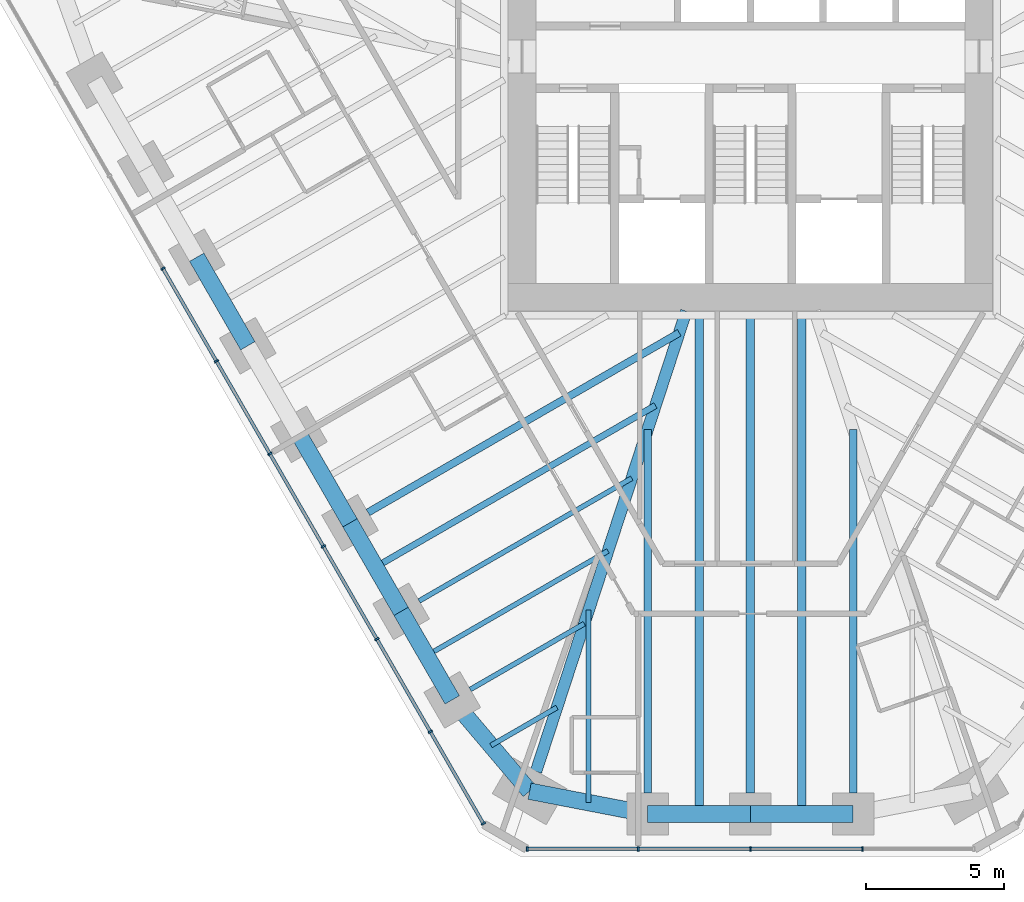
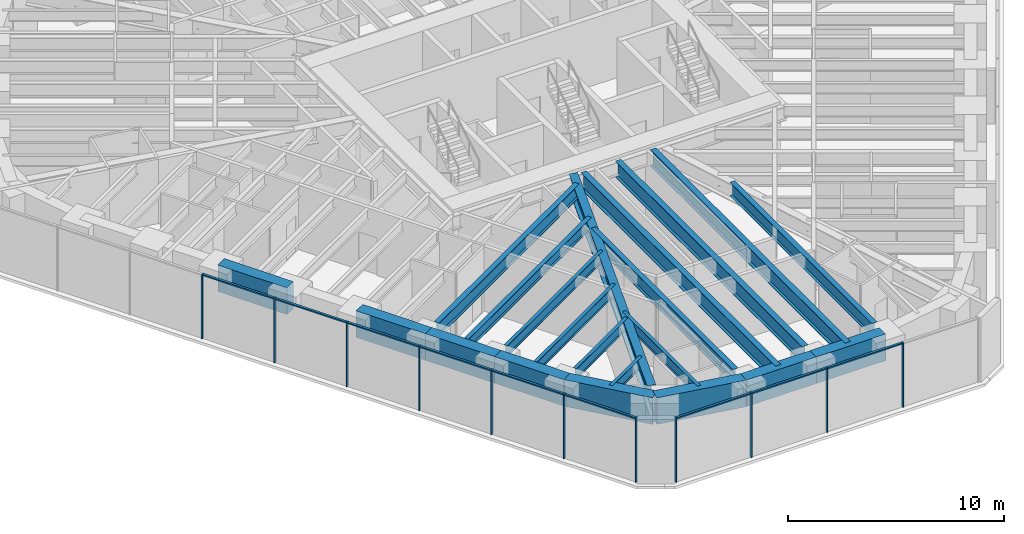
# One storey, part 2 of 16: 21 beams, 20 members, 2 elements without a shape of their own.
"""IFC4 building model written with IfcOpenShell, lengths in metres."""

from ifc_helpers import new_model, si_unit, direction, frame, origin, origin_2d, place, context, subcontext, project, spatial, rectangle, i_section, extrude, material, material_profile, profile_set, type_object, element, aggregate, save


model = new_model("IFC4")

# Units and contexts
model_context = context("Model", 3, precision=1e-05, world=origin(), true_north=direction((0.0, 1.0)))
body_context = subcontext(model_context, "Body", "Model", "MODEL_VIEW")
ifc_project = project(units=[si_unit("LENGTHUNIT", "METRE"), si_unit("AREAUNIT", "SQUARE_METRE"), si_unit("VOLUMEUNIT", "CUBIC_METRE"), si_unit("PLANEANGLEUNIT", "RADIAN"), si_unit("MASSUNIT", "GRAM", prefix="KILO")], contexts=[model_context])

# Site, building, storey
site_placement = place(None, origin())
site = spatial("IfcSite", under=ifc_project, at=site_placement, CompositionType="ELEMENT")
building_placement = place(site_placement, origin())
building = spatial("IfcBuilding", under=site, at=building_placement, Name="Sandreach Pilgrim Tower", CompositionType="ELEMENT")
storey_placement = place(building_placement, frame((0.0, 0.0, 228.800048828125)))
storey = spatial("IfcBuildingStorey", under=building, at=storey_placement, Name="L57", CompositionType="ELEMENT", Elevation=228.800048828125)

# Curtain wall, members
ifc_material_1 = material(Name="Aluminium framed curtain wall", Category="aluminium")
curtain_wall_type = type_object("IfcCurtainWallType", Name="Upper hotel tower curtain wall", PredefinedType="NOTDEFINED", material=ifc_material_1)
curtain_wall_1_placement = place(storey_placement, origin())
curtain_wall_1 = element("IfcCurtainWall", 1, at=curtain_wall_1_placement, inside=storey, type_object=curtain_wall_type, Name="CW-3 L57 S", PredefinedType="NOTDEFINED")
ifc_material_2 = material(Name="Aluminium extrusion", Category="aluminium")
ifc_material_profile_1 = material_profile(ifc_material_2, rectangle(XDim=0.06494140625, YDim=0.159912109375, at=origin_2d()), Name="CW-3M 65X160")
ifc_profile_set_1 = profile_set([ifc_material_profile_1], Name="Aluminium extrusion")
member_type_1 = type_object("IfcMemberType", Name="CW-3 mullion", PredefinedType="MULLION", material=ifc_profile_set_1)
member_1_placement = place(storey_placement, frame((4.048583984375, -26.525146484375, 0.0), z_axis=(0.0, 0.0, 1.0), x_axis=(-1.0, 0.0, 0.0)))
member_1 = element("IfcMember", 2, at=member_1_placement, type_object=member_type_1, Name="CW-3 mullion 2", PredefinedType="MULLION", context=body_context, shape_type="SweptSolid", body=[
    extrude(rectangle(XDim=0.06494140625, YDim=0.159912109375, at=origin_2d()), origin(), (0.0, 0.0, 1.0), 3.639892578125),
])
member_2_placement = place(storey_placement, frame((0.0, -26.525146484375, 0.0), z_axis=(0.0, 0.0, 1.0), x_axis=(-1.0, 0.0, 0.0)))
member_2 = element("IfcMember", 3, at=member_2_placement, type_object=member_type_1, Name="CW-3 mullion 3", PredefinedType="MULLION", context=body_context, shape_type="SweptSolid", body=[
    extrude(rectangle(XDim=0.06494140625, YDim=0.159912109375, at=origin_2d()), origin(), (0.0, 0.0, 1.0), 3.639892578125),
])
member_3_placement = place(storey_placement, frame((-4.048583984375, -26.525146484375, 0.0), z_axis=(0.0, 0.0, 1.0), x_axis=(-1.0, 0.0, 0.0)))
member_3 = element("IfcMember", 4, at=member_3_placement, type_object=member_type_1, Name="CW-3 mullion 4", PredefinedType="MULLION", context=body_context, shape_type="SweptSolid", body=[
    extrude(rectangle(XDim=0.06494140625, YDim=0.159912109375, at=origin_2d()), origin(), (0.0, 0.0, 1.0), 3.639892578125),
])
member_4_placement = place(storey_placement, frame((-8.06494140625, -26.525146484375, 0.0), z_axis=(0.0, 0.0, 1.0), x_axis=(-1.0, 0.0, 0.0)))
member_4 = element("IfcMember", 5, at=member_4_placement, type_object=member_type_1, Name="CW-3 mullion 5", PredefinedType="MULLION", context=body_context, shape_type="SweptSolid", body=[
    extrude(rectangle(XDim=0.06494140625, YDim=0.159912109375, at=origin_2d()), origin(), (0.0, 0.0, 1.0), 3.639892578125),
])

curtain_wall_2_placement = place(storey_placement, origin())
curtain_wall_2 = element("IfcCurtainWall", 6, at=curtain_wall_2_placement, inside=storey, type_object=curtain_wall_type, Name="CW-3 L57 SW", PredefinedType="NOTDEFINED")
member_5_placement = place(storey_placement, frame((-9.646484375, -25.612060546875, 0.0), z_axis=(0.0, 0.0, 1.0), x_axis=(-0.5, 0.866025403784, 0.0)))
member_5 = element("IfcMember", 7, at=member_5_placement, type_object=member_type_1, Name="CW-3 mullion 1", PredefinedType="MULLION", context=body_context, shape_type="SweptSolid", body=[
    extrude(rectangle(XDim=0.06494140625, YDim=0.159912109375, at=origin_2d()), origin(), (0.0, 0.0, 1.0), 3.639892578125),
])
member_6_placement = place(storey_placement, frame((-11.5625, -22.29345703125, 0.0), z_axis=(0.0, 0.0, 1.0), x_axis=(-0.5, 0.866025403784, 0.0)))
member_6 = element("IfcMember", 8, at=member_6_placement, type_object=member_type_1, Name="CW-3 mullion 2", PredefinedType="MULLION", context=body_context, shape_type="SweptSolid", body=[
    extrude(rectangle(XDim=0.06494140625, YDim=0.159912109375, at=origin_2d()), origin(), (0.0, 0.0, 1.0), 3.639892578125),
])
member_7_placement = place(storey_placement, frame((-13.49462890625, -18.94677734375, 0.0), z_axis=(0.0, 0.0, 1.0), x_axis=(-0.5, 0.866025403784, 0.0)))
member_7 = element("IfcMember", 9, at=member_7_placement, type_object=member_type_1, Name="CW-3 mullion 3", PredefinedType="MULLION", context=body_context, shape_type="SweptSolid", body=[
    extrude(rectangle(XDim=0.06494140625, YDim=0.159912109375, at=origin_2d()), origin(), (0.0, 0.0, 1.0), 3.639892578125),
])
member_8_placement = place(storey_placement, frame((-15.4267578125, -15.60009765625, 0.0), z_axis=(0.0, 0.0, 1.0), x_axis=(-0.5, 0.866025403784, 0.0)))
member_8 = element("IfcMember", 10, at=member_8_placement, type_object=member_type_1, Name="CW-3 mullion 4", PredefinedType="MULLION", context=body_context, shape_type="SweptSolid", body=[
    extrude(rectangle(XDim=0.06494140625, YDim=0.159912109375, at=origin_2d()), origin(), (0.0, 0.0, 1.0), 3.639892578125),
])
member_9_placement = place(storey_placement, frame((-17.359130859375, -12.25341796875, 0.0), z_axis=(0.0, 0.0, 1.0), x_axis=(-0.5, 0.866025403784, 0.0)))
member_9 = element("IfcMember", 11, at=member_9_placement, type_object=member_type_1, Name="CW-3 mullion 5", PredefinedType="MULLION", context=body_context, shape_type="SweptSolid", body=[
    extrude(rectangle(XDim=0.06494140625, YDim=0.159912109375, at=origin_2d()), origin(), (0.0, 0.0, 1.0), 3.639892578125),
])
member_10_placement = place(storey_placement, frame((-19.291259765625, -8.90673828125, 0.0), z_axis=(0.0, 0.0, 1.0), x_axis=(-0.5, 0.866025403784, 0.0)))
member_10 = element("IfcMember", 12, at=member_10_placement, type_object=member_type_1, Name="CW-3 mullion 6", PredefinedType="MULLION", context=body_context, shape_type="SweptSolid", body=[
    extrude(rectangle(XDim=0.06494140625, YDim=0.159912109375, at=origin_2d()), origin(), (0.0, 0.0, 1.0), 3.639892578125),
])
member_11_placement = place(storey_placement, frame((-21.223388671875, -5.56005859375, 0.0), z_axis=(0.0, 0.0, 1.0), x_axis=(-0.5, 0.866025403784, 0.0)))
member_11 = element("IfcMember", 13, at=member_11_placement, type_object=member_type_1, Name="CW-3 mullion 7", PredefinedType="MULLION", context=body_context, shape_type="SweptSolid", body=[
    extrude(rectangle(XDim=0.06494140625, YDim=0.159912109375, at=origin_2d()), origin(), (0.0, 0.0, 1.0), 3.639892578125),
])

# Member
ifc_material_3 = material(Name="Aluminium extrusion", Category="aluminium")
ifc_material_profile_2 = material_profile(ifc_material_3, rectangle(XDim=0.1201171875, YDim=0.070068359375, at=origin_2d()), Name="CW-3T 120X70")
ifc_profile_set_2 = profile_set([ifc_material_profile_2], Name="Aluminium extrusion")
member_type_2 = type_object("IfcMemberType", Name="CW-3 transom", PredefinedType="USERDEFINED", material=ifc_profile_set_2)
member_12_placement = place(storey_placement, frame((4.01611328125, -26.525146484375, 3.60498046875), z_axis=(-1.0, 0.0, 0.0), x_axis=(0.0, -1.0, 0.0)))
member_12 = element("IfcMember", 14, at=member_12_placement, type_object=member_type_2, Name="CW-3 head transom 2", ObjectType="TRANSOM", PredefinedType="USERDEFINED", context=body_context, shape_type="SweptSolid", body=[
    extrude(rectangle(XDim=0.1201171875, YDim=0.070068359375, at=origin_2d()), origin(), (0.0, 0.0, 1.0), 3.983642578125),
])

member_13_placement = place(storey_placement, frame((-0.032470703125, -26.525146484375, 3.60498046875), z_axis=(-1.0, 0.0, 0.0), x_axis=(0.0, -1.0, 0.0)))
member_13 = element("IfcMember", 15, at=member_13_placement, type_object=member_type_2, Name="CW-3 head transom 3", ObjectType="TRANSOM", PredefinedType="USERDEFINED", context=body_context, shape_type="SweptSolid", body=[
    extrude(rectangle(XDim=0.1201171875, YDim=0.070068359375, at=origin_2d()), origin(), (0.0, 0.0, 1.0), 3.983642578125),
])

member_14_placement = place(storey_placement, frame((-4.081298828125, -26.525146484375, 3.60498046875), z_axis=(-1.0, 0.0, 0.0), x_axis=(0.0, -1.0, 0.0)))
member_14 = element("IfcMember", 16, at=member_14_placement, type_object=member_type_2, Name="CW-3 head transom 4", ObjectType="TRANSOM", PredefinedType="USERDEFINED", context=body_context, shape_type="SweptSolid", body=[
    extrude(rectangle(XDim=0.1201171875, YDim=0.070068359375, at=origin_2d()), origin(), (0.0, 0.0, 1.0), 3.951171875),
])

aggregate(curtain_wall_1, [member_1, member_2, member_3, member_4, member_12, member_13, member_14])

member_15_placement = place(storey_placement, frame((-9.662841796875, -25.583740234375, 3.60498046875), z_axis=(-0.499973055223, 0.8660409598, 0.0), x_axis=(-0.8660409598, -0.499973055223, 0.0)))
member_15 = element("IfcMember", 17, at=member_15_placement, type_object=member_type_2, Name="CW-3 head transom 1", ObjectType="TRANSOM", PredefinedType="USERDEFINED", context=body_context, shape_type="SweptSolid", body=[
    extrude(rectangle(XDim=0.1201171875, YDim=0.070068359375, at=origin_2d()), origin(), (0.0, 0.0, 1.0), 3.766845703125),
])

member_16_placement = place(storey_placement, frame((-11.57861328125, -22.265380859375, 3.60498046875), z_axis=(-0.500022797313, 0.86601224135, 0.0), x_axis=(-0.86601224135, -0.500022797313, 0.0)))
member_16 = element("IfcMember", 18, at=member_16_placement, type_object=member_type_2, Name="CW-3 head transom 2", ObjectType="TRANSOM", PredefinedType="USERDEFINED", context=body_context, shape_type="SweptSolid", body=[
    extrude(rectangle(XDim=0.1201171875, YDim=0.070068359375, at=origin_2d()), origin(), (0.0, 0.0, 1.0), 3.799560546875),
])

member_17_placement = place(storey_placement, frame((-13.510986328125, -18.918701171875, 3.60498046875), z_axis=(-0.499974606132, 0.866040064445, 0.0), x_axis=(-0.866040064445, -0.499974606132, 0.0)))
member_17 = element("IfcMember", 19, at=member_17_placement, type_object=member_type_2, Name="CW-3 head transom 3", ObjectType="TRANSOM", PredefinedType="USERDEFINED", context=body_context, shape_type="SweptSolid", body=[
    extrude(rectangle(XDim=0.1201171875, YDim=0.070068359375, at=origin_2d()), origin(), (0.0, 0.0, 1.0), 3.799560546875),
])

member_18_placement = place(storey_placement, frame((-15.443115234375, -15.572021484375, 3.60498046875), z_axis=(-0.499974606132, 0.866040064445, 0.0), x_axis=(-0.866040064445, -0.499974606132, 0.0)))
member_18 = element("IfcMember", 20, at=member_18_placement, type_object=member_type_2, Name="CW-3 head transom 4", ObjectType="TRANSOM", PredefinedType="USERDEFINED", context=body_context, shape_type="SweptSolid", body=[
    extrude(rectangle(XDim=0.1201171875, YDim=0.070068359375, at=origin_2d()), origin(), (0.0, 0.0, 1.0), 3.799560546875),
])

member_19_placement = place(storey_placement, frame((-17.375244140625, -12.225341796875, 3.60498046875), z_axis=(-0.500022797313, 0.86601224135, 0.0), x_axis=(-0.86601224135, -0.500022797313, 0.0)))
member_19 = element("IfcMember", 21, at=member_19_placement, type_object=member_type_2, Name="CW-3 head transom 5", ObjectType="TRANSOM", PredefinedType="USERDEFINED", context=body_context, shape_type="SweptSolid", body=[
    extrude(rectangle(XDim=0.1201171875, YDim=0.070068359375, at=origin_2d()), origin(), (0.0, 0.0, 1.0), 3.799560546875),
])

member_20_placement = place(storey_placement, frame((-19.3076171875, -8.878662109375, 3.60498046875), z_axis=(-0.499974606132, 0.866040064445, 0.0), x_axis=(-0.866040064445, -0.499974606132, 0.0)))
member_20 = element("IfcMember", 22, at=member_20_placement, type_object=member_type_2, Name="CW-3 head transom 6", ObjectType="TRANSOM", PredefinedType="USERDEFINED", context=body_context, shape_type="SweptSolid", body=[
    extrude(rectangle(XDim=0.1201171875, YDim=0.070068359375, at=origin_2d()), origin(), (0.0, 0.0, 1.0), 3.799560546875),
])

aggregate(curtain_wall_2, [member_5, member_6, member_7, member_8, member_9, member_10, member_11, member_15, member_16, member_17, member_18, member_19, member_20])

# Beams
ifc_material_4 = material(Name="Steel ASTM A992 Grade 50", Category="steel")
ifc_material_profile_3 = material_profile(ifc_material_4, i_section(OverallWidth=0.421630859375, OverallDepth=0.95751953125, WebThickness=0.02587890625, FlangeThickness=0.046875, at=origin_2d()), Name="W36X330")
ifc_profile_set_3 = profile_set([ifc_material_profile_3], Name="Steel ASTM A992 Grade 50")
beam_type_1 = type_object("IfcBeamType", Name="Corner girder W36X330", PredefinedType="BEAM", material=ifc_profile_set_3)
beam_1_placement = place(storey_placement, frame((-7.745849609375, -23.72900390625, 3.1611328125), z_axis=(0.310317870968, 0.950632851819, 0.0), x_axis=(-0.950632851819, 0.310317870968, 0.0)))
element("IfcBeam", 23, at=beam_1_placement, inside=storey, type_object=beam_type_1, Name="BM L57 CG26", PredefinedType="BEAM", context=body_context, shape_type="SweptSolid", body=[
    extrude(i_section(OverallWidth=0.421630859375, OverallDepth=0.95751953125, WebThickness=0.02587890625, FlangeThickness=0.046875, at=origin_2d()), origin(), (0.0, 0.0, 1.0), 17.492431640625),
])
ifc_material_5 = material(Name="Steel ASTM A992 Grade 50", Category="steel")
ifc_material_profile_4 = material_profile(ifc_material_5, i_section(OverallWidth=0.1787109375, OverallDepth=0.60205078125, WebThickness=0.010986328125, FlangeThickness=0.014892578125, at=origin_2d()), Name="W24X62")
ifc_profile_set_4 = profile_set([ifc_material_profile_4], Name="Steel ASTM A992 Grade 50")
beam_type_2 = type_object("IfcBeamType", Name="Floor beam W24X62", PredefinedType="BEAM", material=ifc_profile_set_4)
beam_2_placement = place(storey_placement, frame((-10.12255859375, -20.767333984375, 3.3388671875), z_axis=(0.86603347311, 0.499986023258, 0.0), x_axis=(-0.499986023258, 0.86603347311, 0.0)))
element("IfcBeam", 24, at=beam_2_placement, inside=storey, type_object=beam_type_2, Name="BM L57 F27", PredefinedType="BEAM", context=body_context, shape_type="SweptSolid", body=[
    extrude(i_section(OverallWidth=0.1787109375, OverallDepth=0.60205078125, WebThickness=0.010986328125, FlangeThickness=0.014892578125, at=origin_2d()), origin(), (0.0, 0.0, 1.0), 4.757568359375),
])
beam_3_placement = place(storey_placement, frame((-11.96875, -17.569580078125, 3.3388671875), z_axis=(0.866020566617, 0.500008378126, 0.0), x_axis=(-0.500008378126, 0.866020566617, 0.0)))
element("IfcBeam", 25, at=beam_3_placement, inside=storey, type_object=beam_type_2, Name="BM L57 F28", PredefinedType="BEAM", context=body_context, shape_type="SweptSolid", body=[
    extrude(i_section(OverallWidth=0.1787109375, OverallDepth=0.60205078125, WebThickness=0.010986328125, FlangeThickness=0.014892578125, at=origin_2d()), origin(), (0.0, 0.0, 1.0), 8.869384765625),
])
beam_4_placement = place(storey_placement, frame((-5.844482421875, -24.853515625, 3.3388671875), z_axis=(0.0, 1.0, 0.0), x_axis=(-1.0, 0.0, 0.0)))
element("IfcBeam", 26, at=beam_4_placement, inside=storey, type_object=beam_type_2, Name="BM L57 FM25", PredefinedType="BEAM", context=body_context, shape_type="SweptSolid", body=[
    extrude(i_section(OverallWidth=0.1787109375, OverallDepth=0.60205078125, WebThickness=0.010986328125, FlangeThickness=0.014892578125, at=origin_2d()), origin(), (0.0, 0.0, 1.0), 6.94921875),
])
beam_5_placement = place(storey_placement, frame((-9.375244140625, -22.7919921875, 3.3388671875), z_axis=(0.866046803606, 0.49996293259, 0.0), x_axis=(-0.49996293259, 0.866046803606, 0.0)))
element("IfcBeam", 27, at=beam_5_placement, inside=storey, type_object=beam_type_2, Name="BM L57 FM26", PredefinedType="BEAM", context=body_context, shape_type="SweptSolid", body=[
    extrude(i_section(OverallWidth=0.1787109375, OverallDepth=0.60205078125, WebThickness=0.010986328125, FlangeThickness=0.014892578125, at=origin_2d()), origin(), (0.0, 0.0, 1.0), 2.753662109375),
])
beam_6_placement = place(storey_placement, frame((-11.6953125, -19.54345703125, 3.3388671875), z_axis=(0.866029704776, 0.49999255039, 0.0), x_axis=(-0.49999255039, 0.866029704776, 0.0)))
element("IfcBeam", 28, at=beam_6_placement, inside=storey, type_object=beam_type_2, Name="BM L57 FM27", PredefinedType="BEAM", context=body_context, shape_type="SweptSolid", body=[
    extrude(i_section(OverallWidth=0.1787109375, OverallDepth=0.60205078125, WebThickness=0.010986328125, FlangeThickness=0.014892578125, at=origin_2d()), origin(), (0.0, 0.0, 1.0), 7.5634765625),
])
ifc_material_6 = material(Name="Steel ASTM A992 Grade 50", Category="steel")
ifc_material_profile_5 = material_profile(ifc_material_6, i_section(OverallWidth=0.23046875, OverallDepth=0.6171875, WebThickness=0.01318359375, FlangeThickness=0.022216796875, at=origin_2d()), Name="W24X94")
ifc_profile_set_5 = profile_set([ifc_material_profile_5], Name="Steel ASTM A992 Grade 50")
beam_type_3 = type_object("IfcBeamType", Name="Floor beam W24X94", PredefinedType="BEAM", material=ifc_profile_set_5)
beam_7_placement = place(storey_placement, frame((-13.54150390625, -16.345703125, 3.331298828125), z_axis=(0.866026454974, 0.499998179282, 0.0), x_axis=(-0.499998179282, 0.866026454974, 0.0)))
element("IfcBeam", 29, at=beam_7_placement, inside=storey, type_object=beam_type_3, Name="BM L57 FM28", PredefinedType="BEAM", context=body_context, shape_type="SweptSolid", body=[
    extrude(i_section(OverallWidth=0.23046875, OverallDepth=0.6171875, WebThickness=0.01318359375, FlangeThickness=0.022216796875, at=origin_2d()), origin(), (0.0, 0.0, 1.0), 11.67578125),
])
ifc_material_7 = material(Name="Steel ASTM A992 Grade 50", Category="steel")
ifc_material_profile_6 = material_profile(ifc_material_7, i_section(OverallWidth=0.2666015625, OverallDepth=0.761962890625, WebThickness=0.014404296875, FlangeThickness=0.021484375, at=origin_2d()), Name="W30X116")
ifc_profile_set_6 = profile_set([ifc_material_profile_6], Name="Steel ASTM A992 Grade 50")
beam_type_4 = type_object("IfcBeamType", Name="Floor beam W30X116", PredefinedType="BEAM", material=ifc_profile_set_6)
for number, where, z_axis, x_axis, name in (
    (30, (3.71044921875, -24.51513671875, 3.259033203125), (0.0, 1.0, 0.0), (-1.0, 0.0, 0.0), "BM L57 F23"),
    (31, (-3.71044921875, -24.51513671875, 3.259033203125), (0.0, 1.0, 0.0), (-1.0, 0.0, 0.0), "BM L57 F25"),
):
    element("IfcBeam", number, at=place(storey_placement, frame(where, z_axis=z_axis, x_axis=x_axis)), inside=storey, type_object=beam_type_4, Name=name, PredefinedType="BEAM", context=body_context, shape_type="SweptSolid", body=[
        extrude(i_section(OverallWidth=0.2666015625, OverallDepth=0.761962890625, WebThickness=0.014404296875, FlangeThickness=0.021484375, at=origin_2d()), origin(), (0.0, 0.0, 1.0), 13.1484375),
    ])
beam_8_placement = place(storey_placement, frame((-13.815185546875, -14.371826171875, 3.259033203125), z_axis=(0.866025240073, 0.500000283557, 0.0), x_axis=(-0.500000283557, 0.866025240073, 0.0)))
element("IfcBeam", 32, at=beam_8_placement, inside=storey, type_object=beam_type_4, Name="BM L57 F29", PredefinedType="BEAM", context=body_context, shape_type="SweptSolid", body=[
    extrude(i_section(OverallWidth=0.2666015625, OverallDepth=0.761962890625, WebThickness=0.014404296875, FlangeThickness=0.021484375, at=origin_2d()), origin(), (0.0, 0.0, 1.0), 12.98193359375),
])
ifc_material_8 = material(Name="Steel ASTM A992 Grade 50", Category="steel")
ifc_material_profile_7 = material_profile(ifc_material_8, i_section(OverallWidth=0.3046875, OverallDepth=0.914306640625, WebThickness=0.0166015625, FlangeThickness=0.02587890625, at=origin_2d()), Name="W36X160")
ifc_profile_set_7 = profile_set([ifc_material_profile_7], Name="Steel ASTM A992 Grade 50")
beam_type_5 = type_object("IfcBeamType", Name="Floor beam W36X160", PredefinedType="BEAM", material=ifc_profile_set_7)
beam_9_placement = place(storey_placement, frame((0.0, -24.51513671875, 3.182861328125), z_axis=(0.0, 1.0, 0.0), x_axis=(-1.0, 0.0, 0.0)))
element("IfcBeam", 33, at=beam_9_placement, inside=storey, type_object=beam_type_5, Name="BM L57 F24", PredefinedType="BEAM", context=body_context, shape_type="SweptSolid", body=[
    extrude(i_section(OverallWidth=0.3046875, OverallDepth=0.914306640625, WebThickness=0.0166015625, FlangeThickness=0.02587890625, at=origin_2d()), origin(), (0.0, 0.0, 1.0), 17.271728515625),
])
for number, where, z_axis, x_axis, name in (
    (34, (1.855224609375, -25.26513671875, 3.182861328125), (0.0, 1.0, 0.0), (-1.0, 0.0, 0.0), "BM L57 FM23"),
    (35, (-1.855224609375, -25.26513671875, 3.182861328125), (0.0, 1.0, 0.0), (-1.0, 0.0, 0.0), "BM L57 FM24"),
):
    element("IfcBeam", number, at=place(storey_placement, frame(where, z_axis=z_axis, x_axis=x_axis)), inside=storey, type_object=beam_type_5, Name=name, PredefinedType="BEAM", context=body_context, shape_type="SweptSolid", body=[
        extrude(i_section(OverallWidth=0.3046875, OverallDepth=0.914306640625, WebThickness=0.0166015625, FlangeThickness=0.02587890625, at=origin_2d()), origin(), (0.0, 0.0, 1.0), 18.021728515625),
    ])
ifc_material_9 = material(Name="Concrete 10000 psi", Category="concrete")
ifc_material_profile_8 = material_profile(ifc_material_9, rectangle(XDim=0.60009765625, YDim=1.5, at=origin_2d()), Name="RC600X1500")
ifc_profile_set_8 = profile_set([ifc_material_profile_8], Name="Concrete 10000 psi")
beam_type_6 = type_object("IfcBeamType", Name="Spandrel beam RC600X1500", PredefinedType="SPANDREL", material=ifc_profile_set_8)
for number, where, z_axis, x_axis, name in (
    (36, (3.71044921875, -25.26513671875, 2.889892578125), (-1.0, 0.0, 0.0), (0.0, -1.0, 0.0), "BM L57 SP23"),
    (37, (0.0, -25.26513671875, 2.889892578125), (-1.0, 0.0, 0.0), (0.0, -1.0, 0.0), "BM L57 SP24"),
):
    element("IfcBeam", number, at=place(storey_placement, frame(where, z_axis=z_axis, x_axis=x_axis)), inside=storey, type_object=beam_type_6, Name=name, PredefinedType="SPANDREL", context=body_context, shape_type="SweptSolid", body=[
        extrude(rectangle(XDim=0.60009765625, YDim=1.5, at=origin_2d()), origin(), (0.0, 0.0, 1.0), 3.71044921875),
    ])
beam_10_placement = place(storey_placement, frame((-3.71044921875, -25.26513671875, 2.889892578125), z_axis=(-0.981901333807, 0.18939316426, 0.0), x_axis=(-0.18939316426, -0.981901333807, 0.0)))
element("IfcBeam", 38, at=beam_10_placement, inside=storey, type_object=beam_type_6, Name="BM L57 SP25", PredefinedType="SPANDREL", context=body_context, shape_type="SweptSolid", body=[
    extrude(rectangle(XDim=0.60009765625, YDim=1.5, at=origin_2d()), origin(), (0.0, 0.0, 1.0), 4.3466796875),
])
beam_11_placement = place(storey_placement, frame((-7.978515625, -24.44189453125, 2.889892578125), z_axis=(-0.646180160755, 0.76318490541, 0.0), x_axis=(-0.76318490541, -0.646180160755, 0.0)))
element("IfcBeam", 39, at=beam_11_placement, inside=storey, type_object=beam_type_6, Name="BM L57 SP26", PredefinedType="SPANDREL", context=body_context, shape_type="SweptSolid", body=[
    extrude(rectangle(XDim=0.60009765625, YDim=1.5, at=origin_2d()), origin(), (0.0, 0.0, 1.0), 4.323486328125),
])
for number, where, z_axis, x_axis, name in (
    (40, (-10.772216796875, -21.142333984375, 2.889892578125), (-0.499993363642, 0.866029235253, 0.0), (-0.866029235253, -0.499993363642, 0.0), "BM L57 SP27"),
    (41, (-12.618408203125, -17.944580078125, 2.889892578125), (-0.499993363642, 0.866029235253, 0.0), (-0.866029235253, -0.499993363642, 0.0), "BM L57 SP28"),
):
    element("IfcBeam", number, at=place(storey_placement, frame(where, z_axis=z_axis, x_axis=x_axis)), inside=storey, type_object=beam_type_6, Name=name, PredefinedType="SPANDREL", context=body_context, shape_type="SweptSolid", body=[
        extrude(rectangle(XDim=0.60009765625, YDim=1.5, at=origin_2d()), origin(), (0.0, 0.0, 1.0), 3.6923828125),
    ])
beam_12_placement = place(storey_placement, frame((-14.464599609375, -14.746826171875, 2.889892578125), z_axis=(-0.49996473481, 0.866045763194, 0.0), x_axis=(-0.866045763194, -0.49996473481, 0.0)))
element("IfcBeam", 42, at=beam_12_placement, inside=storey, type_object=beam_type_6, Name="BM L57 SP29", PredefinedType="SPANDREL", context=body_context, shape_type="SweptSolid", body=[
    extrude(rectangle(XDim=0.60009765625, YDim=1.5, at=origin_2d()), origin(), (0.0, 0.0, 1.0), 3.692626953125),
])
beam_13_placement = place(storey_placement, frame((-18.1572265625, -8.35107421875, 2.889892578125), z_axis=(-0.499993363642, 0.866029235253, 0.0), x_axis=(-0.866029235253, -0.499993363642, 0.0)))
element("IfcBeam", 43, at=beam_13_placement, inside=storey, type_object=beam_type_6, Name="BM L57 SP31", PredefinedType="SPANDREL", context=body_context, shape_type="SweptSolid", body=[
    extrude(rectangle(XDim=0.60009765625, YDim=1.5, at=origin_2d()), origin(), (0.0, 0.0, 1.0), 3.6923828125),
])

save(model, "model.ifc")
